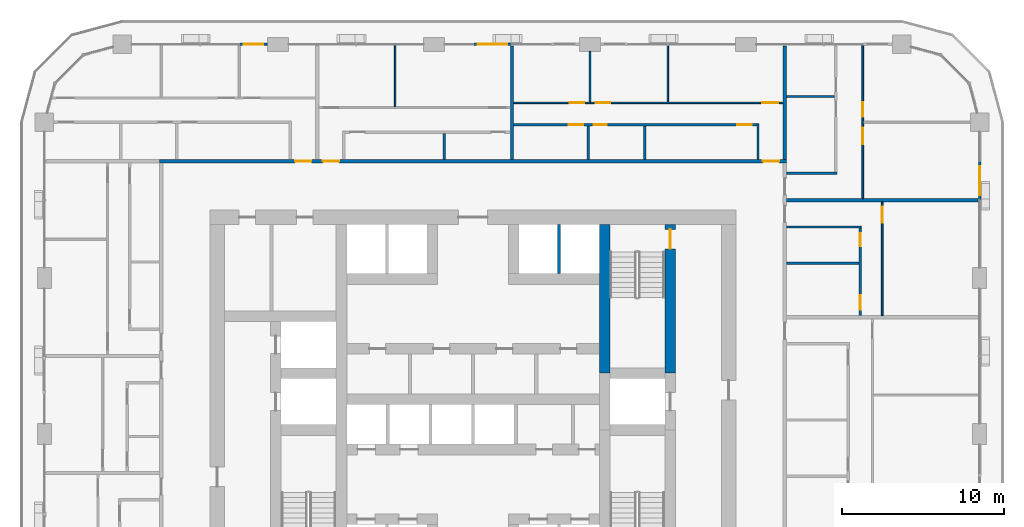
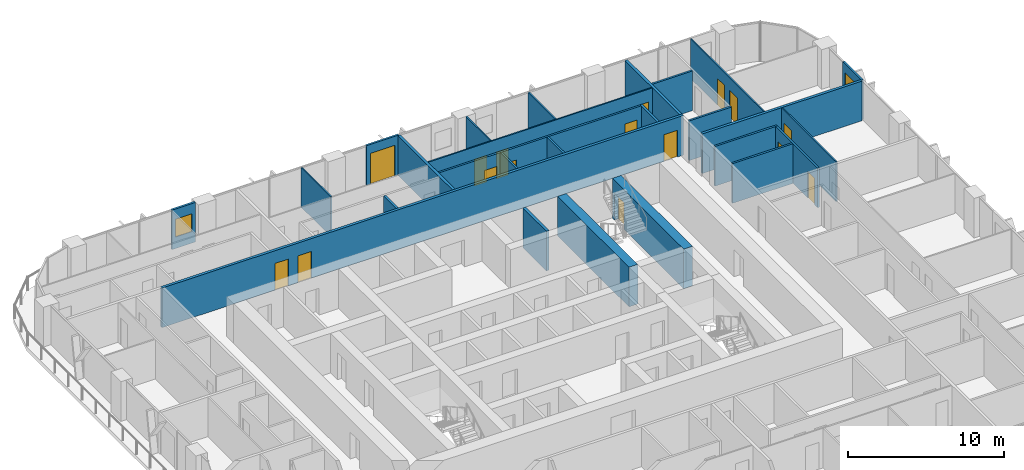
# One storey, part 14 of 21: 26 walls, 17 doors, 1 window, 18 openings.
"""IFC4 building model written with IfcOpenShell, lengths in metres."""

from ifc_helpers import new_model, si_unit, direction, frame, frame_2d, origin, place, context, subcontext, project, spatial, rectangle, extrude, material, layer, layer_set, type_object, element, fill, save


model = new_model("IFC4")

# Units and contexts
model_context = context("Model", 3, precision=1e-05, world=origin(), true_north=direction((0.0, 1.0)))
body_context = subcontext(model_context, "Body", "Model", "MODEL_VIEW")
ifc_project = project(units=[si_unit("LENGTHUNIT", "METRE"), si_unit("AREAUNIT", "SQUARE_METRE"), si_unit("VOLUMEUNIT", "CUBIC_METRE"), si_unit("PLANEANGLEUNIT", "RADIAN"), si_unit("MASSUNIT", "GRAM", prefix="KILO")], contexts=[model_context])

# Site, building, storey
site_placement = place(None, origin())
site = spatial("IfcSite", under=ifc_project, at=site_placement, CompositionType="ELEMENT")
building_placement = place(site_placement, origin())
building = spatial("IfcBuilding", under=site, at=building_placement, Name="Madar Terraces", CompositionType="ELEMENT")
storey_placement = place(building_placement, frame((0.0, 0.0, 80.300048828125)))
storey = spatial("IfcBuildingStorey", under=building, at=storey_placement, Name="L20", CompositionType="ELEMENT", Elevation=80.300048828125)

# Wall
ifc_material_1 = material(Name="Concrete C80/95", Category="concrete")
ifc_layer_1 = layer(ifc_material_1, 0.64990234375)
ifc_layer_set_1 = layer_set([ifc_layer_1], Name="Concrete C80/95 (CIW2 RC wall 650)")
wall_type_1 = type_object("IfcWallType", Name="CIW2 RC wall 650", PredefinedType="SHEAR", material=ifc_layer_set_1)
wall_1_placement = place(storey_placement, frame((39.300048828125, 27.75, 0.0), z_axis=(0.0, 0.0, 1.0), x_axis=(0.0, 1.0, 0.0)))
element("IfcWall", 1, at=wall_1_placement, inside=storey, type_object=wall_type_1, Name="CORE SHAFT WALL", PredefinedType="SHEAR", context=body_context, shape_type="SweptSolid", body=[
    extrude(rectangle(XDim=9.14990234375, YDim=0.64990234375, at=frame_2d((4.574951171875, 0.0))), origin(), (0.0, 0.0, 1.0), 3.099853515625),
])

# Wall, opening, door
wall_2_placement = place(storey_placement, frame((43.35009765625, 27.75, 0.0), z_axis=(0.0, 0.0, 1.0), x_axis=(0.0, 1.0, 0.0)))
wall_2 = element("IfcWall", 2, at=wall_2_placement, inside=storey, type_object=wall_type_1, Name="CORE SHAFT WALL", PredefinedType="SHEAR", context=body_context, shape_type="SweptSolid", body=[
    extrude(rectangle(XDim=9.14990234375, YDim=0.64990234375, at=frame_2d((4.574951171875, 0.0))), origin(), (0.0, 0.0, 1.0), 3.099853515625),
])
opening_1_placement = place(wall_2_placement, frame((7.64990234375, 0.0, 0.0)))
opening_1 = element("IfcOpeningElement", 3, at=opening_1_placement, cuts=wall_2, Name="Opening SD1", PredefinedType="OPENING", context=body_context, shape_type="SweptSolid", body=[
    extrude(rectangle(XDim=1.199951171875, YDim=2.10009765625, at=frame_2d((0.60009765625, 1.050048828125))), frame((0.0, 0.3349609375, 0.0), z_axis=(0.0, -1.0, 0.0), x_axis=(1.0, 0.0, 0.0)), (0.0, 0.0, 1.0), 0.669921875),
])
ifc_material_2 = material(Name="Steel door leaf", Category="steel")
door_type_1 = type_object("IfcDoorType", Name="Stair door 1200 x 2100", OperationType="NOTDEFINED", PredefinedType="DOOR", material=ifc_material_2)
door_1_placement = place(opening_1_placement, origin())
door_1 = element("IfcDoor", 4, at=door_1_placement, inside=storey, type_object=door_type_1, Name="STAIR DOOR", OperationType="SINGLE_SWING_RIGHT", OverallHeight=2.10009765625, OverallWidth=1.199951171875, PredefinedType="DOOR", context=body_context, shape_type="SweptSolid", body=[
    extrude(rectangle(XDim=1.199951171875, YDim=2.10009765625, at=frame_2d((0.60009765625, 1.050048828125))), frame((0.0, 0.02490234375, 0.0), z_axis=(0.0, -1.0, 0.0), x_axis=(1.0, 0.0, 0.0)), (0.0, 0.0, 1.0), 0.050048828125),
])
fill(opening_1, door_1)

# Wall
ifc_material_3 = material(Name="Concrete C40/50", Category="concrete")
ifc_layer_2 = layer(ifc_material_3, 0.199951171875)
ifc_layer_set_2 = layer_set([ifc_layer_2], Name="Core shaft dividing wall 200 C40/50")
wall_type_2 = type_object("IfcWallType", Name="Core shaft dividing wall 200 C40/50", PredefinedType="SOLIDWALL", material=ifc_layer_set_2)
wall_3_placement = place(storey_placement, frame((36.5, 33.875, 0.0), z_axis=(0.0, 0.0, 1.0), x_axis=(0.0, 1.0, 0.0)))
element("IfcWall", 5, at=wall_3_placement, inside=storey, type_object=wall_type_2, Name="SHAFT DIVIDING WALL", PredefinedType="SOLIDWALL", context=body_context, shape_type="SweptSolid", body=[
    extrude(rectangle(XDim=3.02490234375, YDim=0.199951171875, at=frame_2d((1.512451171875, 0.0))), origin(), (0.0, 0.0, 1.0), 3.099853515625),
])

# Wall, opening, door
ifc_material_4 = material(Name="Aluminium composite panel, black, over insulated backing", Category="aluminium")
ifc_layer_3 = layer(ifc_material_4, 0.14990234375)
ifc_layer_set_3 = layer_set([ifc_layer_3], Name="Facade bay panel 150")
wall_type_3 = type_object("IfcWallType", Name="Facade bay panel 150", PredefinedType="SOLIDWALL", material=ifc_layer_set_3)
wall_4_placement = place(storey_placement, frame((62.39990234375, 38.39990234375, 0.0), z_axis=(0.0, 0.0, 1.0), x_axis=(0.0, 1.0, 0.0)))
wall_4 = element("IfcWall", 6, at=wall_4_placement, inside=storey, type_object=wall_type_3, Name="Facade bay panel", PredefinedType="SOLIDWALL", context=body_context, shape_type="SweptSolid", body=[
    extrude(rectangle(XDim=2.400146484375, YDim=0.14990234375, at=frame_2d((1.2001953125, 0.0))), origin(), (0.0, 0.0, 1.0), 3.099853515625),
])
opening_2_placement = place(wall_4_placement, frame((0.300048828125, 0.0, 0.0)))
opening_2 = element("IfcOpeningElement", 7, at=opening_2_placement, cuts=wall_4, Name="Opening ED1", PredefinedType="OPENING", context=body_context, shape_type="SweptSolid", body=[
    extrude(rectangle(XDim=1.800048828125, YDim=2.39990234375, at=frame_2d((0.89990234375, 1.199951171875))), frame((0.0, 0.0849609375, 0.0), z_axis=(0.0, -1.0, 0.0), x_axis=(1.0, 0.0, 0.0)), (0.0, 0.0, 1.0), 0.169921875),
])
ifc_material_5 = material(Name="Glass, clear, with black aluminium frame", Category="aluminium")
door_type_2 = type_object("IfcDoorType", Name="Balcony and terrace sliding door 1800 x 2400", OperationType="SLIDING_TO_LEFT", PredefinedType="DOOR", material=ifc_material_5)
door_2_placement = place(opening_2_placement, origin())
door_2 = element("IfcDoor", 8, at=door_2_placement, inside=storey, type_object=door_type_2, Name="Balcony door", OperationType="SLIDING_TO_LEFT", OverallHeight=2.39990234375, OverallWidth=1.800048828125, PredefinedType="DOOR", context=body_context, shape_type="SweptSolid", body=[
    extrude(rectangle(XDim=1.800048828125, YDim=2.39990234375, at=frame_2d((0.89990234375, 1.199951171875))), frame((0.0, 0.02490234375, 0.0), z_axis=(0.0, -1.0, 0.0), x_axis=(1.0, 0.0, 0.0)), (0.0, 0.0, 1.0), 0.050048828125),
])
fill(opening_2, door_2)

wall_5_placement = place(storey_placement, frame((33.60009765625, 48.0, 0.0), z_axis=(0.0, 0.0, 1.0), x_axis=(-1.0, 0.0, 0.0)))
wall_5 = element("IfcWall", 9, at=wall_5_placement, inside=storey, type_object=wall_type_3, Name="Facade bay panel", PredefinedType="SOLIDWALL", context=body_context, shape_type="SweptSolid", body=[
    extrude(rectangle(XDim=2.400146484375, YDim=0.14990234375, at=frame_2d((1.2001953125, 0.0))), origin(), (0.0, 0.0, 1.0), 3.099853515625),
])
opening_3_placement = place(wall_5_placement, frame((0.300048828125, 0.0, 0.0)))
opening_3 = element("IfcOpeningElement", 10, at=opening_3_placement, cuts=wall_5, Name="Opening ED1", PredefinedType="OPENING", context=body_context, shape_type="SweptSolid", body=[
    extrude(rectangle(XDim=1.800048828125, YDim=2.39990234375, at=frame_2d((0.89990234375, 1.199951171875))), frame((0.0, 0.0849609375, 0.0), z_axis=(0.0, -1.0, 0.0), x_axis=(1.0, 0.0, 0.0)), (0.0, 0.0, 1.0), 0.169921875),
])
door_3_placement = place(opening_3_placement, origin())
door_3 = element("IfcDoor", 11, at=door_3_placement, inside=storey, type_object=door_type_2, Name="Balcony door", OperationType="SLIDING_TO_RIGHT", OverallHeight=2.39990234375, OverallWidth=1.800048828125, PredefinedType="DOOR", context=body_context, shape_type="SweptSolid", body=[
    extrude(rectangle(XDim=1.800048828125, YDim=2.39990234375, at=frame_2d((0.89990234375, 1.199951171875))), frame((0.0, 0.02490234375, 0.0), z_axis=(0.0, -1.0, 0.0), x_axis=(1.0, 0.0, 0.0)), (0.0, 0.0, 1.0), 0.050048828125),
])
fill(opening_3, door_3)

# Wall, opening, window
wall_6_placement = place(storey_placement, frame((18.550048828125, 48.0, 0.0), z_axis=(0.0, 0.0, 1.0), x_axis=(-1.0, 0.0, 0.0)))
wall_6 = element("IfcWall", 12, at=wall_6_placement, inside=storey, type_object=wall_type_3, Name="Facade bay panel", PredefinedType="SOLIDWALL", context=body_context, shape_type="SweptSolid", body=[
    extrude(rectangle(XDim=1.75, YDim=0.14990234375, at=frame_2d((0.875, 0.0))), origin(), (0.0, 0.0, 1.0), 3.099853515625),
])
opening_4_placement = place(wall_6_placement, frame((0.27490234375, 0.0, 0.89990234375)))
opening_4 = element("IfcOpeningElement", 13, at=opening_4_placement, cuts=wall_6, Name="Opening W1", PredefinedType="OPENING", context=body_context, shape_type="SweptSolid", body=[
    extrude(rectangle(XDim=1.199951171875, YDim=1.39990234375, at=frame_2d((0.60009765625, 0.699951171875))), frame((0.0, 0.0849609375, 0.0), z_axis=(0.0, -1.0, 0.0), x_axis=(1.0, 0.0, 0.0)), (0.0, 0.0, 1.0), 0.169921875),
])
ifc_material_6 = material(Name="Glass, clear, with black aluminium frame", Category="aluminium")
window_type = type_object("IfcWindowType", Name="Vent window 1200 x 1400", PartitioningType="SINGLE_PANEL", PredefinedType="WINDOW", material=ifc_material_6)
window_placement = place(opening_4_placement, origin())
window = element("IfcWindow", 14, at=window_placement, inside=storey, type_object=window_type, Name="Operable vent window", OverallHeight=1.39990234375, OverallWidth=1.199951171875, PartitioningType="SINGLE_PANEL", PredefinedType="WINDOW", context=body_context, shape_type="SweptSolid", body=[
    extrude(rectangle(XDim=1.199951171875, YDim=1.39990234375, at=frame_2d((0.60009765625, 0.699951171875))), frame((0.0, 0.030029296875, 0.0), z_axis=(0.0, -1.0, 0.0), x_axis=(1.0, 0.0, 0.0)), (0.0, 0.0, 1.0), 0.06005859375),
])
fill(opening_4, window)

# Wall, opening, door
ifc_material_7 = material(Name="Gypsum board on steel studs", Category="steel")
ifc_layer_4 = layer(ifc_material_7, 0.10009765625)
ifc_layer_set_4 = layer_set([ifc_layer_4], Name="Flat partition 100")
wall_type_4 = type_object("IfcWallType", Name="Flat partition 100", PredefinedType="PARTITIONING", material=ifc_layer_set_4)
wall_7_placement = place(storey_placement, frame((56.39990234375, 38.300048828125, 0.0), z_axis=(0.0, 0.0, 1.0), x_axis=(0.0, -1.0, 0.0)))
wall_7 = element("IfcWall", 15, at=wall_7_placement, inside=storey, type_object=wall_type_4, Name="Flat partition 100", PredefinedType="PARTITIONING", context=body_context, shape_type="SweptSolid", body=[
    extrude(rectangle(XDim=7.0, YDim=0.10009765625, at=frame_2d((3.5, 0.0))), origin(), (0.0, 0.0, 1.0), 3.099853515625),
])
opening_5_placement = place(wall_7_placement, frame((0.300048828125, 0.0, 0.0)))
opening_5 = element("IfcOpeningElement", 16, at=opening_5_placement, cuts=wall_7, Name="Opening D3", PredefinedType="OPENING", context=body_context, shape_type="SweptSolid", body=[
    extrude(rectangle(XDim=1.0, YDim=2.10009765625, at=frame_2d((0.5, 1.050048828125))), frame((0.0, 0.06005859375, 0.0), z_axis=(0.0, -1.0, 0.0), x_axis=(1.0, 0.0, 0.0)), (0.0, 0.0, 1.0), 0.1201171875),
])
ifc_material_8 = material(Name="Timber door leaf", Category="wood")
door_type_3 = type_object("IfcDoorType", Name="Flat living room door 1000", OperationType="NOTDEFINED", PredefinedType="DOOR", material=ifc_material_8)
door_4_placement = place(opening_5_placement, origin())
door_4 = element("IfcDoor", 17, at=door_4_placement, inside=storey, type_object=door_type_3, Name="Flat living room door 1000", OperationType="SINGLE_SWING_LEFT", OverallHeight=2.10009765625, OverallWidth=1.0, PredefinedType="DOOR", context=body_context, shape_type="SweptSolid", body=[
    extrude(rectangle(XDim=1.0, YDim=2.10009765625, at=frame_2d((0.5, 1.050048828125))), frame((0.0, 0.02490234375, 0.0), z_axis=(0.0, -1.0, 0.0), x_axis=(1.0, 0.0, 0.0)), (0.0, 0.0, 1.0), 0.050048828125),
])
fill(opening_5, door_4)

# Wall, openings, doors
wall_8_placement = place(storey_placement, frame((55.199951171875, 47.89990234375, 0.0), z_axis=(0.0, 0.0, 1.0), x_axis=(0.0, -1.0, 0.0)))
wall_8 = element("IfcWall", 18, at=wall_8_placement, inside=storey, type_object=wall_type_4, Name="Flat partition 100", PredefinedType="PARTITIONING", context=body_context, shape_type="SweptSolid", body=[
    extrude(rectangle(XDim=9.39990234375, YDim=0.10009765625, at=frame_2d((4.699951171875, 0.0))), origin(), (0.0, 0.0, 1.0), 3.099853515625),
])
opening_6_placement = place(wall_8_placement, frame((5.050048828125, 0.0, 0.0)))
opening_6 = element("IfcOpeningElement", 19, at=opening_6_placement, cuts=wall_8, Name="Opening D3", PredefinedType="OPENING", context=body_context, shape_type="SweptSolid", body=[
    extrude(rectangle(XDim=1.0, YDim=2.10009765625, at=frame_2d((0.5, 1.050048828125))), frame((0.0, 0.06005859375, 0.0), z_axis=(0.0, -1.0, 0.0), x_axis=(1.0, 0.0, 0.0)), (0.0, 0.0, 1.0), 0.1201171875),
])
opening_7_placement = place(wall_8_placement, frame((3.449951171875, 0.0, 0.0)))
opening_7 = element("IfcOpeningElement", 20, at=opening_7_placement, cuts=wall_8, Name="Opening D2", PredefinedType="OPENING", context=body_context, shape_type="SweptSolid", body=[
    extrude(rectangle(XDim=0.89990234375, YDim=2.10009765625, at=frame_2d((0.449951171875, 1.050048828125))), frame((0.0, 0.06005859375, 0.0), z_axis=(0.0, -1.0, 0.0), x_axis=(1.0, 0.0, 0.0)), (0.0, 0.0, 1.0), 0.1201171875),
])
door_5_placement = place(opening_6_placement, origin())
door_5 = element("IfcDoor", 21, at=door_5_placement, inside=storey, type_object=door_type_3, Name="Flat living room door 1000", OperationType="SINGLE_SWING_LEFT", OverallHeight=2.10009765625, OverallWidth=1.0, PredefinedType="DOOR", context=body_context, shape_type="SweptSolid", body=[
    extrude(rectangle(XDim=1.0, YDim=2.10009765625, at=frame_2d((0.5, 1.050048828125))), frame((0.0, 0.02490234375, 0.0), z_axis=(0.0, -1.0, 0.0), x_axis=(1.0, 0.0, 0.0)), (0.0, 0.0, 1.0), 0.050048828125),
])
fill(opening_6, door_5)
ifc_material_9 = material(Name="Timber door leaf", Category="wood")
door_type_4 = type_object("IfcDoorType", Name="Flat room door 900", OperationType="NOTDEFINED", PredefinedType="DOOR", material=ifc_material_9)
door_6_placement = place(opening_7_placement, origin())
door_6 = element("IfcDoor", 22, at=door_6_placement, inside=storey, type_object=door_type_4, Name="Flat room door 900", OperationType="SINGLE_SWING_RIGHT", OverallHeight=2.10009765625, OverallWidth=0.89990234375, PredefinedType="DOOR", context=body_context, shape_type="SweptSolid", body=[
    extrude(rectangle(XDim=0.89990234375, YDim=2.10009765625, at=frame_2d((0.449951171875, 1.050048828125))), frame((0.0, 0.02490234375, 0.0), z_axis=(0.0, -1.0, 0.0), x_axis=(1.0, 0.0, 0.0)), (0.0, 0.0, 1.0), 0.050048828125),
])
fill(opening_7, door_6)

# Walls
wall_9_placement = place(storey_placement, frame((43.199951171875, 44.449951171875, 0.0), z_axis=(0.0, 0.0, 1.0), x_axis=(0.0, 1.0, 0.0)))
element("IfcWall", 23, at=wall_9_placement, inside=storey, type_object=wall_type_4, Name="Flat partition 100", PredefinedType="PARTITIONING", context=body_context, shape_type="SweptSolid", body=[
    extrude(rectangle(XDim=3.449951171875, YDim=0.10009765625, at=frame_2d((1.72509765625, 0.0))), origin(), (0.0, 0.0, 1.0), 3.099853515625),
])
wall_10_placement = place(storey_placement, frame((38.39990234375, 44.449951171875, 0.0), z_axis=(0.0, 0.0, 1.0), x_axis=(0.0, 1.0, 0.0)))
element("IfcWall", 24, at=wall_10_placement, inside=storey, type_object=wall_type_4, Name="Flat partition 100", PredefinedType="PARTITIONING", context=body_context, shape_type="SweptSolid", body=[
    extrude(rectangle(XDim=3.125, YDim=0.10009765625, at=frame_2d((1.5625, 0.0))), origin(), (0.0, 0.0, 1.0), 3.099853515625),
])

# Wall, openings, doors
wall_11_placement = place(storey_placement, frame((33.699951171875, 44.39990234375, 0.0), z_axis=(0.0, 0.0, 1.0), x_axis=(1.0, 0.0, 0.0)))
wall_11 = element("IfcWall", 25, at=wall_11_placement, inside=storey, type_object=wall_type_4, Name="Flat partition 100", PredefinedType="PARTITIONING", context=body_context, shape_type="SweptSolid", body=[
    extrude(rectangle(XDim=16.60009765625, YDim=0.10009765625, at=frame_2d((8.300048828125, 0.0))), origin(), (0.0, 0.0, 1.0), 3.099853515625),
])
opening_8_placement = place(wall_11_placement, frame((15.300048828125, 0.0, 0.0)))
opening_8 = element("IfcOpeningElement", 26, at=opening_8_placement, cuts=wall_11, Name="Opening D3", PredefinedType="OPENING", context=body_context, shape_type="SweptSolid", body=[
    extrude(rectangle(XDim=1.0, YDim=2.10009765625, at=frame_2d((0.5, 1.050048828125))), frame((0.0, 0.06005859375, 0.0), z_axis=(0.0, -1.0, 0.0), x_axis=(1.0, 0.0, 0.0)), (0.0, 0.0, 1.0), 0.1201171875),
])
opening_9_placement = place(wall_11_placement, frame((5.050048828125, 0.0, 0.0)))
opening_9 = element("IfcOpeningElement", 27, at=opening_9_placement, cuts=wall_11, Name="Opening D2", PredefinedType="OPENING", context=body_context, shape_type="SweptSolid", body=[
    extrude(rectangle(XDim=0.89990234375, YDim=2.10009765625, at=frame_2d((0.449951171875, 1.050048828125))), frame((0.0, 0.06005859375, 0.0), z_axis=(0.0, -1.0, 0.0), x_axis=(1.0, 0.0, 0.0)), (0.0, 0.0, 1.0), 0.1201171875),
])
opening_10_placement = place(wall_11_placement, frame((3.449951171875, 0.0, 0.0)))
opening_10 = element("IfcOpeningElement", 28, at=opening_10_placement, cuts=wall_11, Name="Opening D2", PredefinedType="OPENING", context=body_context, shape_type="SweptSolid", body=[
    extrude(rectangle(XDim=0.89990234375, YDim=2.10009765625, at=frame_2d((0.449951171875, 1.050048828125))), frame((0.0, 0.06005859375, 0.0), z_axis=(0.0, -1.0, 0.0), x_axis=(1.0, 0.0, 0.0)), (0.0, 0.0, 1.0), 0.1201171875),
])
door_7_placement = place(opening_8_placement, origin())
door_7 = element("IfcDoor", 29, at=door_7_placement, inside=storey, type_object=door_type_3, Name="Flat living room door 1000", OperationType="SINGLE_SWING_RIGHT", OverallHeight=2.10009765625, OverallWidth=1.0, PredefinedType="DOOR", context=body_context, shape_type="SweptSolid", body=[
    extrude(rectangle(XDim=1.0, YDim=2.10009765625, at=frame_2d((0.5, 1.050048828125))), frame((0.0, 0.02490234375, 0.0), z_axis=(0.0, -1.0, 0.0), x_axis=(1.0, 0.0, 0.0)), (0.0, 0.0, 1.0), 0.050048828125),
])
fill(opening_8, door_7)
door_8_placement = place(opening_9_placement, origin())
door_8 = element("IfcDoor", 30, at=door_8_placement, inside=storey, type_object=door_type_4, Name="Flat room door 900", OperationType="SINGLE_SWING_LEFT", OverallHeight=2.10009765625, OverallWidth=0.89990234375, PredefinedType="DOOR", context=body_context, shape_type="SweptSolid", body=[
    extrude(rectangle(XDim=0.89990234375, YDim=2.10009765625, at=frame_2d((0.449951171875, 1.050048828125))), frame((0.0, 0.02490234375, 0.0), z_axis=(0.0, -1.0, 0.0), x_axis=(1.0, 0.0, 0.0)), (0.0, 0.0, 1.0), 0.050048828125),
])
fill(opening_9, door_8)
door_9_placement = place(opening_10_placement, origin())
door_9 = element("IfcDoor", 31, at=door_9_placement, inside=storey, type_object=door_type_4, Name="Flat room door 900", OperationType="SINGLE_SWING_RIGHT", OverallHeight=2.10009765625, OverallWidth=0.89990234375, PredefinedType="DOOR", context=body_context, shape_type="SweptSolid", body=[
    extrude(rectangle(XDim=0.89990234375, YDim=2.10009765625, at=frame_2d((0.449951171875, 1.050048828125))), frame((0.0, 0.02490234375, 0.0), z_axis=(0.0, -1.0, 0.0), x_axis=(1.0, 0.0, 0.0)), (0.0, 0.0, 1.0), 0.050048828125),
])
fill(opening_10, door_9)

# Wall
wall_12_placement = place(storey_placement, frame((26.39990234375, 44.14990234375, 0.0), z_axis=(0.0, 0.0, 1.0), x_axis=(0.0, 1.0, 0.0)))
element("IfcWall", 32, at=wall_12_placement, inside=storey, type_object=wall_type_4, Name="Flat partition 100", PredefinedType="PARTITIONING", context=body_context, shape_type="SweptSolid", body=[
    extrude(rectangle(XDim=3.75, YDim=0.10009765625, at=frame_2d((1.875, 0.0))), origin(), (0.0, 0.0, 1.0), 3.099853515625),
])

# Wall, openings, doors
ifc_material_10 = material(Name="Lightweight blockwork", Category="masonry")
ifc_layer_5 = layer(ifc_material_10, 0.199951171875)
ifc_layer_set_5 = layer_set([ifc_layer_5], Name="Flat party and entrance wall 200")
wall_type_5 = type_object("IfcWallType", Name="Flat party and entrance wall 200", PredefinedType="PARTITIONING", material=ifc_layer_set_5)
wall_13_placement = place(storey_placement, frame((11.89990234375, 40.800048828125, 0.0), z_axis=(0.0, 0.0, 1.0), x_axis=(1.0, 0.0, 0.0)))
wall_13 = element("IfcWall", 33, at=wall_13_placement, inside=storey, type_object=wall_type_5, Name="Flat party and entrance wall 200", PredefinedType="PARTITIONING", context=body_context, shape_type="SweptSolid", body=[
    extrude(rectangle(XDim=38.60009765625, YDim=0.199951171875, at=frame_2d((19.300048828125, 0.0))), origin(), (0.0, 0.0, 1.0), 3.099853515625),
])
opening_11_placement = place(wall_13_placement, frame((37.14990234375, 0.0, 0.0)))
opening_11 = element("IfcOpeningElement", 34, at=opening_11_placement, cuts=wall_13, Name="Opening D1", PredefinedType="OPENING", context=body_context, shape_type="SweptSolid", body=[
    extrude(rectangle(XDim=1.0, YDim=2.10009765625, at=frame_2d((0.5, 1.050048828125))), frame((0.0, 0.10986328125, 0.0), z_axis=(0.0, -1.0, 0.0), x_axis=(1.0, 0.0, 0.0)), (0.0, 0.0, 1.0), 0.219970703125),
])
opening_12_placement = place(wall_13_placement, frame((10.050048828125, 0.0, 0.0)))
opening_12 = element("IfcOpeningElement", 35, at=opening_12_placement, cuts=wall_13, Name="Opening D1", PredefinedType="OPENING", context=body_context, shape_type="SweptSolid", body=[
    extrude(rectangle(XDim=1.0, YDim=2.10009765625, at=frame_2d((0.5, 1.050048828125))), frame((0.0, 0.10986328125, 0.0), z_axis=(0.0, -1.0, 0.0), x_axis=(1.0, 0.0, 0.0)), (0.0, 0.0, 1.0), 0.219970703125),
])
opening_13_placement = place(wall_13_placement, frame((8.35009765625, 0.0, 0.0)))
opening_13 = element("IfcOpeningElement", 36, at=opening_13_placement, cuts=wall_13, Name="Opening D1", PredefinedType="OPENING", context=body_context, shape_type="SweptSolid", body=[
    extrude(rectangle(XDim=1.0, YDim=2.10009765625, at=frame_2d((0.5, 1.050048828125))), frame((0.0, 0.10986328125, 0.0), z_axis=(0.0, -1.0, 0.0), x_axis=(1.0, 0.0, 0.0)), (0.0, 0.0, 1.0), 0.219970703125),
])
ifc_material_11 = material(Name="Timber fire door leaf", Category="wood")
door_type_5 = type_object("IfcDoorType", Name="Flat entrance door 1000 FD30S", OperationType="NOTDEFINED", PredefinedType="DOOR", material=ifc_material_11)
door_10_placement = place(opening_11_placement, origin())
door_10 = element("IfcDoor", 37, at=door_10_placement, inside=storey, type_object=door_type_5, Name="Flat entrance door 1000 FD30S", OperationType="SINGLE_SWING_RIGHT", OverallHeight=2.10009765625, OverallWidth=1.0, PredefinedType="DOOR", context=body_context, shape_type="SweptSolid", body=[
    extrude(rectangle(XDim=1.0, YDim=2.10009765625, at=frame_2d((0.5, 1.050048828125))), frame((0.0, 0.02490234375, 0.0), z_axis=(0.0, -1.0, 0.0), x_axis=(1.0, 0.0, 0.0)), (0.0, 0.0, 1.0), 0.050048828125),
])
fill(opening_11, door_10)
door_11_placement = place(opening_12_placement, origin())
door_11 = element("IfcDoor", 38, at=door_11_placement, inside=storey, type_object=door_type_5, Name="Flat entrance door 1000 FD30S", OperationType="SINGLE_SWING_LEFT", OverallHeight=2.10009765625, OverallWidth=1.0, PredefinedType="DOOR", context=body_context, shape_type="SweptSolid", body=[
    extrude(rectangle(XDim=1.0, YDim=2.10009765625, at=frame_2d((0.5, 1.050048828125))), frame((0.0, 0.02490234375, 0.0), z_axis=(0.0, -1.0, 0.0), x_axis=(1.0, 0.0, 0.0)), (0.0, 0.0, 1.0), 0.050048828125),
])
fill(opening_12, door_11)
door_12_placement = place(opening_13_placement, origin())
door_12 = element("IfcDoor", 39, at=door_12_placement, inside=storey, type_object=door_type_5, Name="Flat entrance door 1000 FD30S", OperationType="SINGLE_SWING_RIGHT", OverallHeight=2.10009765625, OverallWidth=1.0, PredefinedType="DOOR", context=body_context, shape_type="SweptSolid", body=[
    extrude(rectangle(XDim=1.0, YDim=2.10009765625, at=frame_2d((0.5, 1.050048828125))), frame((0.0, 0.02490234375, 0.0), z_axis=(0.0, -1.0, 0.0), x_axis=(1.0, 0.0, 0.0)), (0.0, 0.0, 1.0), 0.050048828125),
])
fill(opening_13, door_12)

# Walls
wall_14_placement = place(storey_placement, frame((50.5, 38.39990234375, 0.0), z_axis=(0.0, 0.0, 1.0), x_axis=(1.0, 0.0, 0.0)))
element("IfcWall", 40, at=wall_14_placement, inside=storey, type_object=wall_type_5, Name="Flat party and entrance wall 200", PredefinedType="PARTITIONING", context=body_context, shape_type="SweptSolid", body=[
    extrude(rectangle(XDim=11.800048828125, YDim=0.199951171875, at=frame_2d((5.89990234375, 0.0))), origin(), (0.0, 0.0, 1.0), 3.099853515625),
])
for number, where, z_axis, x_axis, name in (
    (41, (50.39990234375, 40.89990234375, 0.0), (0.0, 0.0, 1.0), (0.0, 1.0, 0.0), "Flat party and entrance wall 200"),
    (42, (33.60009765625, 47.89990234375, 0.0), (0.0, 0.0, 1.0), (0.0, -1.0, 0.0), "Flat party and entrance wall 200"),
):
    element("IfcWall", number, at=place(storey_placement, frame(where, z_axis=z_axis, x_axis=x_axis)), inside=storey, type_object=wall_type_5, Name=name, PredefinedType="PARTITIONING", context=body_context, shape_type="SweptSolid", body=[
        extrude(rectangle(XDim=7.0, YDim=0.199951171875, at=frame_2d((3.5, 0.0))), origin(), (0.0, 0.0, 1.0), 3.099853515625),
    ])
ifc_material_12 = material(Name="Lightweight blockwork", Category="masonry")
ifc_layer_6 = layer(ifc_material_12, 0.14990234375)
ifc_layer_set_6 = layer_set([ifc_layer_6], Name="Flat wet-room partition 150")
wall_type_6 = type_object("IfcWallType", Name="Flat wet-room partition 150", PredefinedType="PARTITIONING", material=ifc_layer_set_6)
wall_15_placement = place(storey_placement, frame((50.5, 34.52490234375, 0.0), z_axis=(0.0, 0.0, 1.0), x_axis=(1.0, 0.0, 0.0)))
element("IfcWall", 43, at=wall_15_placement, inside=storey, type_object=wall_type_6, Name="Flat wet-room partition 150", PredefinedType="PARTITIONING", context=body_context, shape_type="SweptSolid", body=[
    extrude(rectangle(XDim=4.47509765625, YDim=0.14990234375, at=frame_2d((2.237548828125, 0.0))), origin(), (0.0, 0.0, 1.0), 3.099853515625),
])
wall_16_placement = place(storey_placement, frame((50.5, 36.75, 0.0), z_axis=(0.0, 0.0, 1.0), x_axis=(1.0, 0.0, 0.0)))
element("IfcWall", 44, at=wall_16_placement, inside=storey, type_object=wall_type_6, Name="Flat wet-room partition 150", PredefinedType="PARTITIONING", context=body_context, shape_type="SweptSolid", body=[
    extrude(rectangle(XDim=4.625, YDim=0.14990234375, at=frame_2d((2.3125, 0.0))), origin(), (0.0, 0.0, 1.0), 3.099853515625),
])

# Wall, openings, doors
wall_17_placement = place(storey_placement, frame((55.050048828125, 31.300048828125, 0.0), z_axis=(0.0, 0.0, 1.0), x_axis=(0.0, 1.0, 0.0)))
wall_17 = element("IfcWall", 45, at=wall_17_placement, inside=storey, type_object=wall_type_6, Name="Flat wet-room partition 150", PredefinedType="PARTITIONING", context=body_context, shape_type="SweptSolid", body=[
    extrude(rectangle(XDim=5.375, YDim=0.14990234375, at=frame_2d((2.6875, 0.0))), origin(), (0.0, 0.0, 1.0), 3.099853515625),
])
opening_14_placement = place(wall_17_placement, frame((4.27490234375, 0.0, 0.0)))
opening_14 = element("IfcOpeningElement", 46, at=opening_14_placement, cuts=wall_17, Name="Opening D4", PredefinedType="OPENING", context=body_context, shape_type="SweptSolid", body=[
    extrude(rectangle(XDim=0.800048828125, YDim=2.10009765625, at=frame_2d((0.39990234375, 1.050048828125))), frame((0.0, 0.0849609375, 0.0), z_axis=(0.0, -1.0, 0.0), x_axis=(1.0, 0.0, 0.0)), (0.0, 0.0, 1.0), 0.169921875),
])
opening_15_placement = place(wall_17_placement, frame((0.35009765625, 0.0, 0.0)))
opening_15 = element("IfcOpeningElement", 47, at=opening_15_placement, cuts=wall_17, Name="Opening D2", PredefinedType="OPENING", context=body_context, shape_type="SweptSolid", body=[
    extrude(rectangle(XDim=0.89990234375, YDim=2.10009765625, at=frame_2d((0.449951171875, 1.050048828125))), frame((0.0, 0.0849609375, 0.0), z_axis=(0.0, -1.0, 0.0), x_axis=(1.0, 0.0, 0.0)), (0.0, 0.0, 1.0), 0.169921875),
])
ifc_material_13 = material(Name="Timber door leaf", Category="wood")
door_type_6 = type_object("IfcDoorType", Name="Flat bathroom door 800", OperationType="NOTDEFINED", PredefinedType="DOOR", material=ifc_material_13)
door_13_placement = place(opening_14_placement, origin())
door_13 = element("IfcDoor", 48, at=door_13_placement, inside=storey, type_object=door_type_6, Name="Flat bathroom door 800", OperationType="SINGLE_SWING_RIGHT", OverallHeight=2.10009765625, OverallWidth=0.800048828125, PredefinedType="DOOR", context=body_context, shape_type="SweptSolid", body=[
    extrude(rectangle(XDim=0.800048828125, YDim=2.10009765625, at=frame_2d((0.39990234375, 1.050048828125))), frame((0.0, 0.02490234375, 0.0), z_axis=(0.0, -1.0, 0.0), x_axis=(1.0, 0.0, 0.0)), (0.0, 0.0, 1.0), 0.050048828125),
])
fill(opening_14, door_13)
door_14_placement = place(opening_15_placement, origin())
door_14 = element("IfcDoor", 49, at=door_14_placement, inside=storey, type_object=door_type_4, Name="Flat room door 900", OperationType="SINGLE_SWING_LEFT", OverallHeight=2.10009765625, OverallWidth=0.89990234375, PredefinedType="DOOR", context=body_context, shape_type="SweptSolid", body=[
    extrude(rectangle(XDim=0.89990234375, YDim=2.10009765625, at=frame_2d((0.449951171875, 1.050048828125))), frame((0.0, 0.02490234375, 0.0), z_axis=(0.0, -1.0, 0.0), x_axis=(1.0, 0.0, 0.0)), (0.0, 0.0, 1.0), 0.050048828125),
])
fill(opening_15, door_14)

# Walls
wall_18_placement = place(storey_placement, frame((50.5, 44.7900390625, 0.0), z_axis=(0.0, 0.0, 1.0), x_axis=(1.0, 0.0, 0.0)))
element("IfcWall", 50, at=wall_18_placement, inside=storey, type_object=wall_type_6, Name="Flat wet-room partition 150", PredefinedType="PARTITIONING", context=body_context, shape_type="SweptSolid", body=[
    extrude(rectangle(XDim=2.97509765625, YDim=0.14990234375, at=frame_2d((1.487548828125, 0.0))), origin(), (0.0, 0.0, 1.0), 3.099853515625),
])
wall_19_placement = place(storey_placement, frame((50.5, 40.050048828125, 0.0), z_axis=(0.0, 0.0, 1.0), x_axis=(1.0, 0.0, 0.0)))
element("IfcWall", 51, at=wall_19_placement, inside=storey, type_object=wall_type_6, Name="Flat wet-room partition 150", PredefinedType="PARTITIONING", context=body_context, shape_type="SweptSolid", body=[
    extrude(rectangle(XDim=3.125, YDim=0.14990234375, at=frame_2d((1.5625, 0.0))), origin(), (0.0, 0.0, 1.0), 3.099853515625),
])
for number, where, z_axis, x_axis, name in (
    (52, (41.763427734375, 40.89990234375, 0.0), (0.0, 0.0, 1.0), (0.0, 1.0, 0.0), "Flat wet-room partition 150"),
    (53, (38.3076171875, 40.89990234375, 0.0), (0.0, 0.0, 1.0), (0.0, 1.0, 0.0), "Flat wet-room partition 150"),
):
    element("IfcWall", number, at=place(storey_placement, frame(where, z_axis=z_axis, x_axis=x_axis)), inside=storey, type_object=wall_type_6, Name=name, PredefinedType="PARTITIONING", context=body_context, shape_type="SweptSolid", body=[
        extrude(rectangle(XDim=2.0751953125, YDim=0.14990234375, at=frame_2d((1.03759765625, 0.0))), origin(), (0.0, 0.0, 1.0), 3.099853515625),
    ])
wall_20_placement = place(storey_placement, frame((48.75, 40.89990234375, 0.0), z_axis=(0.0, 0.0, 1.0), x_axis=(0.0, 1.0, 0.0)))
element("IfcWall", 54, at=wall_20_placement, inside=storey, type_object=wall_type_6, Name="Flat wet-room partition 150", PredefinedType="PARTITIONING", context=body_context, shape_type="SweptSolid", body=[
    extrude(rectangle(XDim=2.22509765625, YDim=0.14990234375, at=frame_2d((1.112548828125, 0.0))), origin(), (0.0, 0.0, 1.0), 3.099853515625),
])

# Wall, openings, doors
wall_21_placement = place(storey_placement, frame((48.675048828125, 43.050048828125, 0.0), z_axis=(0.0, 0.0, 1.0), x_axis=(-1.0, 0.0, 0.0)))
wall_21 = element("IfcWall", 55, at=wall_21_placement, inside=storey, type_object=wall_type_6, Name="Flat wet-room partition 150", PredefinedType="PARTITIONING", context=body_context, shape_type="SweptSolid", body=[
    extrude(rectangle(XDim=14.97509765625, YDim=0.14990234375, at=frame_2d((7.487548828125, 0.0))), origin(), (0.0, 0.0, 1.0), 3.099853515625),
])
opening_16_placement = place(wall_21_placement, frame((0.300048828125, 0.0, 0.0)))
opening_16 = element("IfcOpeningElement", 56, at=opening_16_placement, cuts=wall_21, Name="Opening D2", PredefinedType="OPENING", context=body_context, shape_type="SweptSolid", body=[
    extrude(rectangle(XDim=0.89990234375, YDim=2.10009765625, at=frame_2d((0.449951171875, 1.050048828125))), frame((0.0, 0.0849609375, 0.0), z_axis=(0.0, -1.0, 0.0), x_axis=(1.0, 0.0, 0.0)), (0.0, 0.0, 1.0), 0.169921875),
])
opening_17_placement = place(wall_21_placement, frame((9.2421875, 0.0, 0.0)))
opening_17 = element("IfcOpeningElement", 57, at=opening_17_placement, cuts=wall_21, Name="Opening D4", PredefinedType="OPENING", context=body_context, shape_type="SweptSolid", body=[
    extrude(rectangle(XDim=0.800048828125, YDim=2.10009765625, at=frame_2d((0.39990234375, 1.050048828125))), frame((0.0, 0.0849609375, 0.0), z_axis=(0.0, -1.0, 0.0), x_axis=(1.0, 0.0, 0.0)), (0.0, 0.0, 1.0), 0.169921875),
])
opening_18_placement = place(wall_21_placement, frame((10.6923828125, 0.0, 0.0)))
opening_18 = element("IfcOpeningElement", 58, at=opening_18_placement, cuts=wall_21, Name="Opening D5", PredefinedType="OPENING", context=body_context, shape_type="SweptSolid", body=[
    extrude(rectangle(XDim=0.89990234375, YDim=2.10009765625, at=frame_2d((0.449951171875, 1.050048828125))), frame((0.0, 0.0849609375, 0.0), z_axis=(0.0, -1.0, 0.0), x_axis=(1.0, 0.0, 0.0)), (0.0, 0.0, 1.0), 0.169921875),
])
ifc_material_14 = material(Name="Timber door leaf", Category="wood")
door_type_7 = type_object("IfcDoorType", Name="Flat accessible bathroom door 900", OperationType="NOTDEFINED", PredefinedType="DOOR", material=ifc_material_14)
door_15_placement = place(opening_18_placement, origin())
door_15 = element("IfcDoor", 59, at=door_15_placement, inside=storey, type_object=door_type_7, Name="Flat accessible bathroom door 900", OperationType="SINGLE_SWING_LEFT", OverallHeight=2.10009765625, OverallWidth=0.89990234375, PredefinedType="DOOR", context=body_context, shape_type="SweptSolid", body=[
    extrude(rectangle(XDim=0.89990234375, YDim=2.10009765625, at=frame_2d((0.449951171875, 1.050048828125))), frame((0.0, 0.02490234375, 0.0), z_axis=(0.0, -1.0, 0.0), x_axis=(1.0, 0.0, 0.0)), (0.0, 0.0, 1.0), 0.050048828125),
])
fill(opening_18, door_15)
door_16_placement = place(opening_17_placement, origin())
door_16 = element("IfcDoor", 60, at=door_16_placement, inside=storey, type_object=door_type_6, Name="Flat bathroom door 800", OperationType="SINGLE_SWING_RIGHT", OverallHeight=2.10009765625, OverallWidth=0.800048828125, PredefinedType="DOOR", context=body_context, shape_type="SweptSolid", body=[
    extrude(rectangle(XDim=0.800048828125, YDim=2.10009765625, at=frame_2d((0.39990234375, 1.050048828125))), frame((0.0, 0.02490234375, 0.0), z_axis=(0.0, -1.0, 0.0), x_axis=(1.0, 0.0, 0.0)), (0.0, 0.0, 1.0), 0.050048828125),
])
fill(opening_17, door_16)
door_17_placement = place(opening_16_placement, origin())
door_17 = element("IfcDoor", 61, at=door_17_placement, inside=storey, type_object=door_type_4, Name="Flat room door 900", OperationType="SINGLE_SWING_LEFT", OverallHeight=2.10009765625, OverallWidth=0.89990234375, PredefinedType="DOOR", context=body_context, shape_type="SweptSolid", body=[
    extrude(rectangle(XDim=0.89990234375, YDim=2.10009765625, at=frame_2d((0.449951171875, 1.050048828125))), frame((0.0, 0.02490234375, 0.0), z_axis=(0.0, -1.0, 0.0), x_axis=(1.0, 0.0, 0.0)), (0.0, 0.0, 1.0), 0.050048828125),
])
fill(opening_16, door_17)

# Wall
wall_22_placement = place(storey_placement, frame((29.429931640625, 40.89990234375, 0.0), z_axis=(0.0, 0.0, 1.0), x_axis=(0.0, 1.0, 0.0)))
element("IfcWall", 62, at=wall_22_placement, inside=storey, type_object=wall_type_6, Name="Flat wet-room partition 150", PredefinedType="PARTITIONING", context=body_context, shape_type="SweptSolid", body=[
    extrude(rectangle(XDim=1.625, YDim=0.14990234375, at=frame_2d((0.8125, 0.0))), origin(), (0.0, 0.0, 1.0), 3.099853515625),
])

save(model, "model.ifc")
